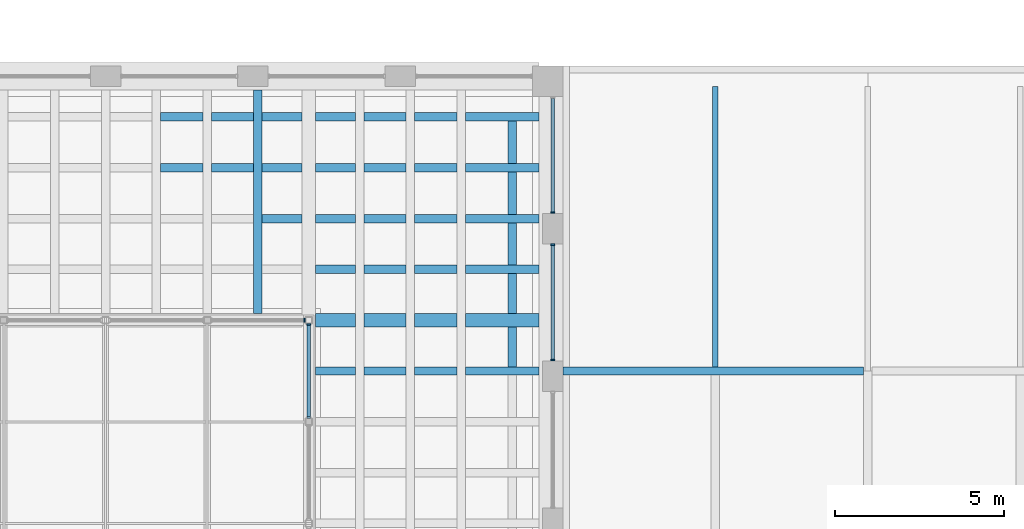
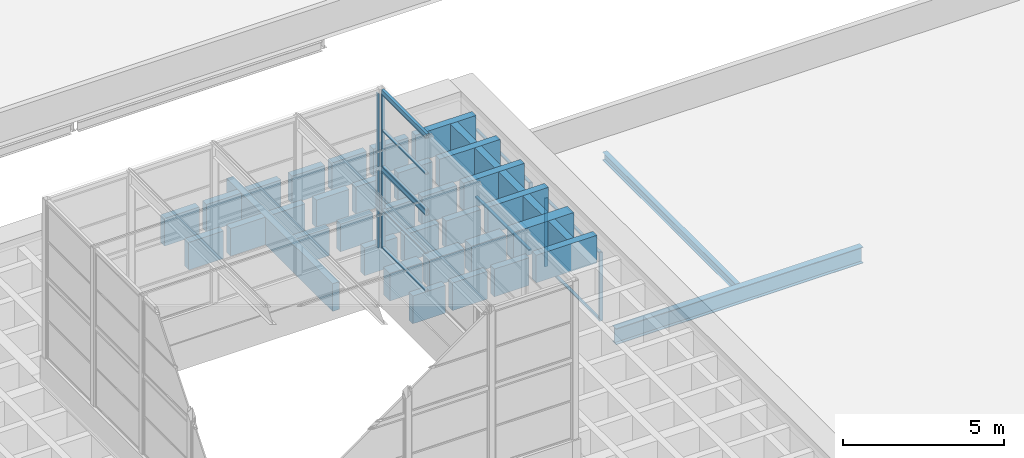
# One storey, part 34 of 50: 41 beams, 17 members, 6 elements without a shape of their own.
"""IFC4 building model written with IfcOpenShell, lengths in metres."""

import ifcopenshell
import ifcopenshell.guid

model = None  # the IFC model being written
_history = None  # IfcOwnerHistory: only IFC2X3 demands one
_inside = {}  # id of a spatial element -> (the spatial element, [elements in it])
_under = {}  # id of a project, library or spatial element -> (it, [spatial elements below it])
_declared = {}  # id of a project -> (the project, [libraries it declares])
_typed = {}  # id of a type object -> (the type object, [elements of that type])
_made_of = {}  # id of a material, layer set ... -> (it, [elements and type objects made of it])


def new_model(schema):
    """Start an empty IFC model of exactly this schema.

    Asked for "IFC4X3", IfcOpenShell would pick the latest addendum, in which some entities
    have other attributes; the version numbers below select the first issue.
    IFC2X3 requires an IfcOwnerHistory on every rooted entity: one is made here for all.
    """
    global model, _history
    if schema == "IFC4X3":
        model = ifcopenshell.file(schema_version=(4, 3, 0, 0))
    else:
        model = ifcopenshell.file(schema=schema)
    _inside.clear()
    _under.clear()
    _declared.clear()
    _typed.clear()
    _made_of.clear()
    _history = None
    if model.schema == "IFC2X3":
        org = make("IfcOrganization", Name="unknown")
        user = make(
            "IfcPersonAndOrganization",
            ThePerson=make("IfcPerson", FamilyName="unknown"),
            TheOrganization=org,
        )
        app = make(
            "IfcApplication",
            ApplicationDeveloper=org,
            Version="unknown",
            ApplicationFullName="unknown",
            ApplicationIdentifier="unknown",
        )
        _history = make(
            "IfcOwnerHistory",
            OwningUser=user,
            OwningApplication=app,
            ChangeAction="ADDED",
            CreationDate=0,
        )
    return model


def make(cls, **values):
    """One entity of the class cls with the attributes given. An attribute that is None is left unset."""
    return model.create_entity(
        cls, **{name: value for name, value in values.items() if value is not None}
    )


def rooted(cls, **values):
    """An entity with a GlobalId (a new one), such as an element, a storey or a relation."""
    return make(cls, GlobalId=ifcopenshell.guid.new(), OwnerHistory=_history, **values)


def si_unit(unit_type, name, prefix=None):
    """IfcSIUnit, for example si_unit("LENGTHUNIT", "METRE", prefix="MILLI")."""
    return make("IfcSIUnit", UnitType=unit_type, Prefix=prefix, Name=name)


def assignment(units):
    """IfcUnitAssignment: the units of a project."""
    return None if units is None else make("IfcUnitAssignment", Units=units)


def point(xyz):
    """IfcCartesianPoint."""
    return None if xyz is None else make("IfcCartesianPoint", Coordinates=xyz)


def direction(xyz):
    """IfcDirection."""
    return None if xyz is None else make("IfcDirection", DirectionRatios=xyz)


def frame(location, z_axis=None, x_axis=None):
    """IfcAxis2Placement3D, a coordinate frame: its origin and axes. An axis left out is left unset."""
    return make(
        "IfcAxis2Placement3D",
        Location=point(location),
        Axis=direction(z_axis),
        RefDirection=direction(x_axis),
    )


def frame_2d(location, x_axis=None):
    """IfcAxis2Placement2D, a coordinate frame in the plane: its origin and x axis."""
    return make(
        "IfcAxis2Placement2D", Location=point(location), RefDirection=direction(x_axis)
    )


def origin():
    """The frame at (0, 0, 0) with its axes left unset."""
    return frame((0.0, 0.0, 0.0))


def origin_2d():
    """The frame at (0, 0) in the plane with its x axis left unset."""
    return frame_2d((0.0, 0.0))


def place(relative_to, where):
    """IfcLocalPlacement: puts the frame where relative to a parent placement (None: the world)."""
    return make(
        "IfcLocalPlacement", PlacementRelTo=relative_to, RelativePlacement=where
    )


def context(
    kind, dimensions, precision=None, world=None, true_north=None, identifier=None
):
    """IfcGeometricRepresentationContext, for example the 3D "Model" context."""
    return make(
        "IfcGeometricRepresentationContext",
        ContextIdentifier=identifier,
        ContextType=kind,
        CoordinateSpaceDimension=dimensions,
        Precision=precision,
        WorldCoordinateSystem=world,
        TrueNorth=true_north,
    )


def subcontext(parent, identifier, kind, view, scale=None):
    """IfcGeometricRepresentationSubContext, for example "Body" below "Model"."""
    return make(
        "IfcGeometricRepresentationSubContext",
        ContextIdentifier=identifier,
        ContextType=kind,
        ParentContext=parent,
        TargetScale=scale,
        TargetView=view,
    )


def project(units=None, contexts=None):
    """IfcProject with its units and contexts."""
    return rooted(
        "IfcProject",
        Name="project",
        RepresentationContexts=contexts,
        UnitsInContext=assignment(units),
    )


def spatial(cls, under=None, at=None, **own):
    """A site, building, storey or space (cls), placed at a placement, below another one or the project."""
    s = rooted(cls, ObjectPlacement=at, **own)
    if under is not None:
        _under.setdefault(under.id(), (under, []))[1].append(s)
    return s


def profile(cls, at=None, kind="AREA", **sizes):
    """A parametric profile (cls). Its sizes go by their IFC names, for example OverallWidth=200.0."""
    return make(cls, ProfileType=kind, Position=at, **sizes)


def rectangle(**sizes):
    """IfcRectangleProfileDef."""
    return profile("IfcRectangleProfileDef", **sizes)


def hollow_rectangle(**sizes):
    """IfcRectangleHollowProfileDef."""
    return profile("IfcRectangleHollowProfileDef", **sizes)


def i_section(**sizes):
    """IfcIShapeProfileDef."""
    return profile("IfcIShapeProfileDef", **sizes)


def extrude(swept, where, along, depth):
    """IfcExtrudedAreaSolid: the profile swept, set in the frame where, extruded along a direction by depth."""
    return make(
        "IfcExtrudedAreaSolid",
        SweptArea=swept,
        Position=where,
        ExtrudedDirection=direction(along),
        Depth=depth,
    )


def shape(context_of_items, identifier, shape_type, items):
    """IfcShapeRepresentation: the items that make up one representation, for example the "Body"."""
    return make(
        "IfcShapeRepresentation",
        ContextOfItems=context_of_items,
        RepresentationIdentifier=identifier,
        RepresentationType=shape_type,
        Items=items,
    )


def material(Name=None, Category=None):
    """IfcMaterial."""
    return make("IfcMaterial", Name=Name, Category=Category)


def layer(
    of_material, thickness, ventilated=None, Name=None, Category=None, Priority=None
):
    """IfcMaterialLayer: one layer of a wall or slab, of a material (None: an air gap)."""
    return make(
        "IfcMaterialLayer",
        Material=of_material,
        LayerThickness=thickness,
        IsVentilated=ventilated,
        Name=Name,
        Category=Category,
        Priority=Priority,
    )


def layer_set(layers, Name=None):
    """IfcMaterialLayerSet."""
    return make("IfcMaterialLayerSet", MaterialLayers=layers, LayerSetName=Name)


def material_profile(
    of_material, cross_section, Name=None, Category=None, Priority=None
):
    """IfcMaterialProfile: a cross section and its material."""
    return make(
        "IfcMaterialProfile",
        Name=Name,
        Material=of_material,
        Profile=cross_section,
        Priority=Priority,
        Category=Category,
    )


def profile_set(profiles, Name=None, composite=None):
    """IfcMaterialProfileSet."""
    return make(
        "IfcMaterialProfileSet",
        Name=Name,
        MaterialProfiles=profiles,
        CompositeProfile=composite,
    )


def made_of(thing, what):
    """Note that an element or type object is made of a material, layer set ...; save() writes the relation."""
    if what is not None:
        _made_of.setdefault(what.id(), (what, []))[1].append(thing)
    return thing


def type_object(cls, material=None, **own):
    """A type object (cls), such as IfcWallType, which elements share."""
    return made_of(rooted(cls, **own), material)


def element(
    cls,
    number,
    at=None,
    inside=None,
    cuts=None,
    type_object=None,
    material=None,
    context=None,
    identifier="Body",
    shape_type=None,
    held_by="IfcProductDefinitionShape",
    body=None,
    shapes=None,
    **own,
):
    """One element of the class cls, such as IfcWall. Its Tag is "e" and its number.

    at: its placement. inside: the storey or other place that contains it. cuts: it is an
    opening in that element (IfcRelVoidsElement). A single representation is given by context,
    identifier, shape_type and body (its items); several are given by shapes. held_by: the class
    of the entity that holds the representations. save() writes the other relations.
    """
    e = rooted(cls, Tag="e%d" % number, ObjectPlacement=at, **own)
    if body is not None:
        shapes = [shape(context, identifier, shape_type, body)]
    if shapes is not None:
        e.Representation = make(held_by, Representations=shapes)
    if inside is not None:
        _inside.setdefault(inside.id(), (inside, []))[1].append(e)
    if cuts is not None:
        rooted(
            "IfcRelVoidsElement", RelatingBuildingElement=cuts, RelatedOpeningElement=e
        )
    if type_object is not None:
        _typed.setdefault(type_object.id(), (type_object, []))[1].append(e)
    return made_of(e, material)


def aggregate(whole, parts):
    """IfcRelAggregates: a whole, such as a stair, and the parts it consists of."""
    return rooted("IfcRelAggregates", RelatingObject=whole, RelatedObjects=parts)


def save(model, path):
    """Write the relations noted so far, then the file.

    IfcRelAggregates (storeys below a building ...), IfcRelContainedInSpatialStructure (elements
    in a storey), IfcRelDefinesByType, IfcRelAssociatesMaterial and IfcRelDeclares: one each for
    every whole, place, type object, material and project.
    """
    for whole, parts in _under.values():
        aggregate(whole, parts)
    for where, things in _inside.values():
        rooted(
            "IfcRelContainedInSpatialStructure",
            RelatedElements=things,
            RelatingStructure=where,
        )
    for kind, things in _typed.values():
        rooted("IfcRelDefinesByType", RelatedObjects=things, RelatingType=kind)
    for what, things in _made_of.values():
        rooted("IfcRelAssociatesMaterial", RelatedObjects=things, RelatingMaterial=what)
    for by, libraries in _declared.values():
        rooted("IfcRelDeclares", RelatingContext=by, RelatedDefinitions=libraries)
    model.write(path)


model = new_model("IFC4")

# Units and contexts
model_context = context("Model", 3, precision=1e-05, world=origin(), true_north=direction((0.0, 1.0)))
body_context = subcontext(model_context, "Body", "Model", "MODEL_VIEW")
ifc_project = project(units=[si_unit("LENGTHUNIT", "METRE"), si_unit("AREAUNIT", "SQUARE_METRE"), si_unit("VOLUMEUNIT", "CUBIC_METRE"), si_unit("PLANEANGLEUNIT", "RADIAN"), si_unit("MASSUNIT", "GRAM", prefix="KILO")], contexts=[model_context])

# Site, building, storey
site_placement = place(None, origin())
site = spatial("IfcSite", under=ifc_project, at=site_placement, CompositionType="ELEMENT")
building_placement = place(site_placement, origin())
building = spatial("IfcBuilding", under=site, at=building_placement, Name="Corbel Yard City Hall", CompositionType="ELEMENT")
storey_placement = place(building_placement, frame((0.0, 0.0, 15.0)))
storey = spatial("IfcBuildingStorey", under=building, at=storey_placement, Name="L03", CompositionType="ELEMENT", Elevation=15.0)

# Beams
ifc_material_1 = material(Name="Concrete N50 (50 MPa)", Category="concrete")
ifc_material_profile_1 = material_profile(ifc_material_1, rectangle(XDim=0.25, YDim=1.050048828125, at=origin_2d()), Name="250x1050")
ifc_profile_set_1 = profile_set([ifc_material_profile_1], Name="Concrete N50 (50 MPa)")
beam_type_1 = type_object("IfcBeamType", Name="Coffer bay rib RC 250X1050", PredefinedType="T_BEAM", material=ifc_profile_set_1)
beam_1_placement = place(storey_placement, frame((135.0, 73.699951171875, 3.125), z_axis=(0.0, 1.0, 0.0), x_axis=(-1.0, 0.0, 0.0)))
element("IfcBeam", 1, at=beam_1_placement, inside=storey, type_object=beam_type_1, Name="Coffer bay rib RB5", PredefinedType="T_BEAM", context=body_context, shape_type="SweptSolid", body=[
    extrude(rectangle(XDim=0.25, YDim=1.050048828125, at=origin_2d()), origin(), (0.0, 0.0, 1.0), 6.60009765625),
])
ifc_material_profile_2 = material_profile(ifc_material_1, rectangle(XDim=0.25, YDim=1.050048828125, at=origin_2d()), Name="250x1050")
ifc_profile_set_2 = profile_set([ifc_material_profile_2], Name="Concrete N50 (50 MPa)")
beam_type_2 = type_object("IfcBeamType", Name="Coffer cross rib RC 250X1050", PredefinedType="T_BEAM", material=ifc_profile_set_2)
for number, where, z_axis, x_axis, name in (
    (2, (142.5, 72.125, 3.125), (0.0, 1.0, 0.0), (-1.0, 0.0, 0.0), "Coffer cross rib RB3"),
    (3, (142.5, 73.699951171875, 3.125), (0.0, 1.0, 0.0), (-1.0, 0.0, 0.0), "Coffer cross rib RB3"),
):
    element("IfcBeam", number, at=place(storey_placement, frame(where, z_axis=z_axis, x_axis=x_axis)), inside=storey, type_object=beam_type_2, Name=name, PredefinedType="T_BEAM", context=body_context, shape_type="SweptSolid", body=[
        extrude(rectangle(XDim=0.25, YDim=1.050048828125, at=origin_2d()), origin(), (0.0, 0.0, 1.0), 1.175048828125),
    ])
for number, where, z_axis, x_axis, name in (
    (4, (142.5, 75.125, 3.125), (0.0, 1.0, 0.0), (-1.0, 0.0, 0.0), "Coffer cross rib RB3"),
    (5, (142.5, 76.625, 3.125), (0.0, 1.0, 0.0), (-1.0, 0.0, 0.0), "Coffer cross rib RB3"),
    (6, (142.5, 78.125, 3.125), (0.0, 1.0, 0.0), (-1.0, 0.0, 0.0), "Coffer cross rib RB3"),
):
    element("IfcBeam", number, at=place(storey_placement, frame(where, z_axis=z_axis, x_axis=x_axis)), inside=storey, type_object=beam_type_2, Name=name, PredefinedType="T_BEAM", context=body_context, shape_type="SweptSolid", body=[
        extrude(rectangle(XDim=0.25, YDim=1.050048828125, at=origin_2d()), origin(), (0.0, 0.0, 1.0), 1.25),
    ])
beam_2_placement = place(storey_placement, frame((136.699951171875, 72.0, 3.125), z_axis=(1.0, 0.0, 0.0), x_axis=(0.0, 1.0, 0.0)))
element("IfcBeam", 7, at=beam_2_placement, inside=storey, type_object=beam_type_2, Name="Coffer cross rib RB3", PredefinedType="T_BEAM", context=body_context, shape_type="SweptSolid", body=[
    extrude(rectangle(XDim=0.25, YDim=1.050048828125, at=origin_2d()), origin(), (0.0, 0.0, 1.0), 1.175048828125),
])
for number, where, z_axis, x_axis, name in (
    (8, (138.125, 72.0, 3.125), (1.0, 0.0, 0.0), (0.0, 1.0, 0.0), "Coffer cross rib RB3"),
    (9, (139.625, 72.0, 3.125), (1.0, 0.0, 0.0), (0.0, 1.0, 0.0), "Coffer cross rib RB3"),
):
    element("IfcBeam", number, at=place(storey_placement, frame(where, z_axis=z_axis, x_axis=x_axis)), inside=storey, type_object=beam_type_2, Name=name, PredefinedType="T_BEAM", context=body_context, shape_type="SweptSolid", body=[
        extrude(rectangle(XDim=0.25, YDim=1.050048828125, at=origin_2d()), origin(), (0.0, 0.0, 1.0), 1.25),
    ])
beam_3_placement = place(storey_placement, frame((141.125, 72.0, 3.125), z_axis=(1.0, 0.0, 0.0), x_axis=(0.0, 1.0, 0.0)))
element("IfcBeam", 10, at=beam_3_placement, inside=storey, type_object=beam_type_2, Name="Coffer cross rib RB3", PredefinedType="T_BEAM", context=body_context, shape_type="SweptSolid", body=[
    extrude(rectangle(XDim=0.25, YDim=1.050048828125, at=origin_2d()), origin(), (0.0, 0.0, 1.0), 2.175048828125),
])
beam_4_placement = place(storey_placement, frame((136.699951171875, 75.0, 3.125), z_axis=(1.0, 0.0, 0.0), x_axis=(0.0, 1.0, 0.0)))
element("IfcBeam", 11, at=beam_4_placement, inside=storey, type_object=beam_type_2, Name="Coffer cross rib RB3", PredefinedType="T_BEAM", context=body_context, shape_type="SweptSolid", body=[
    extrude(rectangle(XDim=0.25, YDim=1.050048828125, at=origin_2d()), origin(), (0.0, 0.0, 1.0), 1.175048828125),
])
for number, where, z_axis, x_axis, name in (
    (12, (138.125, 75.0, 3.125), (1.0, 0.0, 0.0), (0.0, 1.0, 0.0), "Coffer cross rib RB3"),
    (13, (139.625, 75.0, 3.125), (1.0, 0.0, 0.0), (0.0, 1.0, 0.0), "Coffer cross rib RB3"),
):
    element("IfcBeam", number, at=place(storey_placement, frame(where, z_axis=z_axis, x_axis=x_axis)), inside=storey, type_object=beam_type_2, Name=name, PredefinedType="T_BEAM", context=body_context, shape_type="SweptSolid", body=[
        extrude(rectangle(XDim=0.25, YDim=1.050048828125, at=origin_2d()), origin(), (0.0, 0.0, 1.0), 1.25),
    ])
beam_5_placement = place(storey_placement, frame((141.125, 75.0, 3.125), z_axis=(1.0, 0.0, 0.0), x_axis=(0.0, 1.0, 0.0)))
element("IfcBeam", 14, at=beam_5_placement, inside=storey, type_object=beam_type_2, Name="Coffer cross rib RB3", PredefinedType="T_BEAM", context=body_context, shape_type="SweptSolid", body=[
    extrude(rectangle(XDim=0.25, YDim=1.050048828125, at=origin_2d()), origin(), (0.0, 0.0, 1.0), 2.175048828125),
])
for number, where, z_axis, x_axis, name in (
    (15, (135.125, 76.5, 3.125), (1.0, 0.0, 0.0), (0.0, 1.0, 0.0), "Coffer cross rib RB3"),
    (16, (136.699951171875, 76.5, 3.125), (1.0, 0.0, 0.0), (0.0, 1.0, 0.0), "Coffer cross rib RB3"),
):
    element("IfcBeam", number, at=place(storey_placement, frame(where, z_axis=z_axis, x_axis=x_axis)), inside=storey, type_object=beam_type_2, Name=name, PredefinedType="T_BEAM", context=body_context, shape_type="SweptSolid", body=[
        extrude(rectangle(XDim=0.25, YDim=1.050048828125, at=origin_2d()), origin(), (0.0, 0.0, 1.0), 1.175048828125),
    ])
for number, where, z_axis, x_axis, name in (
    (17, (138.125, 76.5, 3.125), (1.0, 0.0, 0.0), (0.0, 1.0, 0.0), "Coffer cross rib RB3"),
    (18, (139.625, 76.5, 3.125), (1.0, 0.0, 0.0), (0.0, 1.0, 0.0), "Coffer cross rib RB3"),
):
    element("IfcBeam", number, at=place(storey_placement, frame(where, z_axis=z_axis, x_axis=x_axis)), inside=storey, type_object=beam_type_2, Name=name, PredefinedType="T_BEAM", context=body_context, shape_type="SweptSolid", body=[
        extrude(rectangle(XDim=0.25, YDim=1.050048828125, at=origin_2d()), origin(), (0.0, 0.0, 1.0), 1.25),
    ])
beam_6_placement = place(storey_placement, frame((141.125, 76.5, 3.125), z_axis=(1.0, 0.0, 0.0), x_axis=(0.0, 1.0, 0.0)))
element("IfcBeam", 19, at=beam_6_placement, inside=storey, type_object=beam_type_2, Name="Coffer cross rib RB3", PredefinedType="T_BEAM", context=body_context, shape_type="SweptSolid", body=[
    extrude(rectangle(XDim=0.25, YDim=1.050048828125, at=origin_2d()), origin(), (0.0, 0.0, 1.0), 2.175048828125),
])
for number, where, z_axis, x_axis, name in (
    (20, (132.125, 78.0, 3.125), (1.0, 0.0, 0.0), (0.0, 1.0, 0.0), "Coffer cross rib RB3"),
    (21, (133.625, 78.0, 3.125), (1.0, 0.0, 0.0), (0.0, 1.0, 0.0), "Coffer cross rib RB3"),
):
    element("IfcBeam", number, at=place(storey_placement, frame(where, z_axis=z_axis, x_axis=x_axis)), inside=storey, type_object=beam_type_2, Name=name, PredefinedType="T_BEAM", context=body_context, shape_type="SweptSolid", body=[
        extrude(rectangle(XDim=0.25, YDim=1.050048828125, at=origin_2d()), origin(), (0.0, 0.0, 1.0), 1.25),
    ])
for number, where, z_axis, x_axis, name in (
    (22, (135.125, 78.0, 3.125), (1.0, 0.0, 0.0), (0.0, 1.0, 0.0), "Coffer cross rib RB3"),
    (23, (136.699951171875, 78.0, 3.125), (1.0, 0.0, 0.0), (0.0, 1.0, 0.0), "Coffer cross rib RB3"),
):
    element("IfcBeam", number, at=place(storey_placement, frame(where, z_axis=z_axis, x_axis=x_axis)), inside=storey, type_object=beam_type_2, Name=name, PredefinedType="T_BEAM", context=body_context, shape_type="SweptSolid", body=[
        extrude(rectangle(XDim=0.25, YDim=1.050048828125, at=origin_2d()), origin(), (0.0, 0.0, 1.0), 1.175048828125),
    ])
for number, where, z_axis, x_axis, name in (
    (24, (138.125, 78.0, 3.125), (1.0, 0.0, 0.0), (0.0, 1.0, 0.0), "Coffer cross rib RB3"),
    (25, (139.625, 78.0, 3.125), (1.0, 0.0, 0.0), (0.0, 1.0, 0.0), "Coffer cross rib RB3"),
):
    element("IfcBeam", number, at=place(storey_placement, frame(where, z_axis=z_axis, x_axis=x_axis)), inside=storey, type_object=beam_type_2, Name=name, PredefinedType="T_BEAM", context=body_context, shape_type="SweptSolid", body=[
        extrude(rectangle(XDim=0.25, YDim=1.050048828125, at=origin_2d()), origin(), (0.0, 0.0, 1.0), 1.25),
    ])
beam_7_placement = place(storey_placement, frame((141.125, 78.0, 3.125), z_axis=(1.0, 0.0, 0.0), x_axis=(0.0, 1.0, 0.0)))
element("IfcBeam", 26, at=beam_7_placement, inside=storey, type_object=beam_type_2, Name="Coffer cross rib RB3", PredefinedType="T_BEAM", context=body_context, shape_type="SweptSolid", body=[
    extrude(rectangle(XDim=0.25, YDim=1.050048828125, at=origin_2d()), origin(), (0.0, 0.0, 1.0), 2.175048828125),
])
for number, where, z_axis, x_axis, name in (
    (27, (132.125, 79.5, 3.125), (1.0, 0.0, 0.0), (0.0, 1.0, 0.0), "Coffer cross rib RB3"),
    (28, (133.625, 79.5, 3.125), (1.0, 0.0, 0.0), (0.0, 1.0, 0.0), "Coffer cross rib RB3"),
):
    element("IfcBeam", number, at=place(storey_placement, frame(where, z_axis=z_axis, x_axis=x_axis)), inside=storey, type_object=beam_type_2, Name=name, PredefinedType="T_BEAM", context=body_context, shape_type="SweptSolid", body=[
        extrude(rectangle(XDim=0.25, YDim=1.050048828125, at=origin_2d()), origin(), (0.0, 0.0, 1.0), 1.25),
    ])
for number, where, z_axis, x_axis, name in (
    (29, (135.125, 79.5, 3.125), (1.0, 0.0, 0.0), (0.0, 1.0, 0.0), "Coffer cross rib RB3"),
    (30, (136.699951171875, 79.5, 3.125), (1.0, 0.0, 0.0), (0.0, 1.0, 0.0), "Coffer cross rib RB3"),
):
    element("IfcBeam", number, at=place(storey_placement, frame(where, z_axis=z_axis, x_axis=x_axis)), inside=storey, type_object=beam_type_2, Name=name, PredefinedType="T_BEAM", context=body_context, shape_type="SweptSolid", body=[
        extrude(rectangle(XDim=0.25, YDim=1.050048828125, at=origin_2d()), origin(), (0.0, 0.0, 1.0), 1.175048828125),
    ])
for number, where, z_axis, x_axis, name in (
    (31, (138.125, 79.5, 3.125), (1.0, 0.0, 0.0), (0.0, 1.0, 0.0), "Coffer cross rib RB3"),
    (32, (139.625, 79.5, 3.125), (1.0, 0.0, 0.0), (0.0, 1.0, 0.0), "Coffer cross rib RB3"),
):
    element("IfcBeam", number, at=place(storey_placement, frame(where, z_axis=z_axis, x_axis=x_axis)), inside=storey, type_object=beam_type_2, Name=name, PredefinedType="T_BEAM", context=body_context, shape_type="SweptSolid", body=[
        extrude(rectangle(XDim=0.25, YDim=1.050048828125, at=origin_2d()), origin(), (0.0, 0.0, 1.0), 1.25),
    ])
beam_8_placement = place(storey_placement, frame((141.125, 79.5, 3.125), z_axis=(1.0, 0.0, 0.0), x_axis=(0.0, 1.0, 0.0)))
element("IfcBeam", 33, at=beam_8_placement, inside=storey, type_object=beam_type_2, Name="Coffer cross rib RB3", PredefinedType="T_BEAM", context=body_context, shape_type="SweptSolid", body=[
    extrude(rectangle(XDim=0.25, YDim=1.050048828125, at=origin_2d()), origin(), (0.0, 0.0, 1.0), 2.175048828125),
])
ifc_material_2 = material(Name="Steel Grade 300 (300 MPa yield)", Category="steel")
ifc_material_profile_3 = material_profile(ifc_material_2, i_section(OverallWidth=0.22900390625, OverallDepth=0.612060546875, WebThickness=0.011962890625, FlangeThickness=0.01953125, at=origin_2d()), Name="610UB125")
ifc_profile_set_3 = profile_set([ifc_material_profile_3], Name="Steel Grade 300 (300 MPa yield)")
beam_type_3 = type_object("IfcBeamType", Name="Girder 610UB125", PredefinedType="BEAM", material=ifc_profile_set_3)
beam_9_placement = place(storey_placement, frame((144.0, 72.0, -0.4560546875), z_axis=(1.0, 0.0, 0.0), x_axis=(0.0, 1.0, 0.0)))
element("IfcBeam", 34, at=beam_9_placement, inside=storey, type_object=beam_type_3, Name="Girder 610UB125 GB1 L03roof", PredefinedType="BEAM", context=body_context, shape_type="SweptSolid", body=[
    extrude(i_section(OverallWidth=0.22900390625, OverallDepth=0.612060546875, WebThickness=0.011962890625, FlangeThickness=0.01953125, at=origin_2d()), origin(), (0.0, 0.0, 1.0), 8.8701171875),
])
ifc_material_3 = material(Name="Steel Grade C450L0", Category="steel")
ifc_material_profile_4 = material_profile(ifc_material_3, hollow_rectangle(XDim=0.10009765625, YDim=0.14990234375, WallThickness=0.006103515625, at=origin_2d()), Name="150x100x6.0RHS")
ifc_profile_set_4 = profile_set([ifc_material_profile_4], Name="Steel Grade C450L0")
beam_type_4 = type_object("IfcBeamType", Name="Lantern frame beam 150x100x6.0RHS", PredefinedType="BEAM", material=ifc_profile_set_4)
for number, where, z_axis, x_axis, name in (
    (35, (136.5, 70.60009765625, 10.574951171875), (0.0, 1.0, 0.0), (-1.0, 0.0, 0.0), "Lantern frame beam 150x100x6.0RHS SB22"),
    (36, (136.5, 70.60009765625, 7.64990234375), (0.0, 1.0, 0.0), (-1.0, 0.0, 0.0), "Lantern frame beam 150x100x6.0RHS SB22"),
):
    element("IfcBeam", number, at=place(storey_placement, frame(where, z_axis=z_axis, x_axis=x_axis)), inside=storey, type_object=beam_type_4, Name=name, PredefinedType="BEAM", context=body_context, shape_type="SweptSolid", body=[
        extrude(hollow_rectangle(XDim=0.10009765625, YDim=0.14990234375, WallThickness=0.006103515625, at=origin_2d()), origin(), (0.0, 0.0, 1.0), 2.7998046875),
    ])
ifc_material_profile_5 = material_profile(ifc_material_1, rectangle(XDim=0.39990234375, YDim=1.050048828125, at=origin_2d()), Name="400x1050")
ifc_profile_set_5 = profile_set([ifc_material_profile_5], Name="Concrete N50 (50 MPa)")
beam_type_5 = type_object("IfcBeamType", Name="Lantern trimmer cross rib RC 400X1050", PredefinedType="BEAM", material=ifc_profile_set_5)
beam_10_placement = place(storey_placement, frame((136.699951171875, 73.5, 3.125), z_axis=(1.0, 0.0, 0.0), x_axis=(0.0, 1.0, 0.0)))
element("IfcBeam", 37, at=beam_10_placement, inside=storey, type_object=beam_type_5, Name="Lantern trimmer cross rib RB4", PredefinedType="BEAM", context=body_context, shape_type="SweptSolid", body=[
    extrude(rectangle(XDim=0.39990234375, YDim=1.050048828125, at=origin_2d()), origin(), (0.0, 0.0, 1.0), 1.175048828125),
])
for number, where, z_axis, x_axis, name in (
    (38, (138.125, 73.5, 3.125), (1.0, 0.0, 0.0), (0.0, 1.0, 0.0), "Lantern trimmer cross rib RB4"),
    (39, (139.625, 73.5, 3.125), (1.0, 0.0, 0.0), (0.0, 1.0, 0.0), "Lantern trimmer cross rib RB4"),
):
    element("IfcBeam", number, at=place(storey_placement, frame(where, z_axis=z_axis, x_axis=x_axis)), inside=storey, type_object=beam_type_5, Name=name, PredefinedType="BEAM", context=body_context, shape_type="SweptSolid", body=[
        extrude(rectangle(XDim=0.39990234375, YDim=1.050048828125, at=origin_2d()), origin(), (0.0, 0.0, 1.0), 1.25),
    ])
beam_11_placement = place(storey_placement, frame((141.125, 73.5, 3.125), z_axis=(1.0, 0.0, 0.0), x_axis=(0.0, 1.0, 0.0)))
element("IfcBeam", 40, at=beam_11_placement, inside=storey, type_object=beam_type_5, Name="Lantern trimmer cross rib RB4", PredefinedType="BEAM", context=body_context, shape_type="SweptSolid", body=[
    extrude(rectangle(XDim=0.39990234375, YDim=1.050048828125, at=origin_2d()), origin(), (0.0, 0.0, 1.0), 2.175048828125),
])

# Curtain wall, member
ifc_material_4 = material(Name="Aluminium extrusion", Category="aluminium")
ifc_layer = layer(ifc_material_4, 0.1201171875)
ifc_layer_set = layer_set([ifc_layer], Name="Aluminium extrusion")
curtain_wall_type = type_object("IfcCurtainWallType", Name="CW3", PredefinedType="USERDEFINED", material=ifc_layer_set)
curtain_wall_1_placement = place(storey_placement, origin())
curtain_wall_1 = element("IfcCurtainWall", 41, at=curtain_wall_1_placement, inside=storey, type_object=curtain_wall_type, Name="Lantern glazing", ObjectType="CURTAIN WALL", PredefinedType="USERDEFINED")
ifc_material_profile_6 = material_profile(ifc_material_4, rectangle(XDim=0.1201171875, YDim=0.050048828125, at=origin_2d()), Name="120x50")
ifc_profile_set_6 = profile_set([ifc_material_profile_6], Name="Aluminium extrusion")
member_type_1 = type_object("IfcMemberType", Name="ML3", PredefinedType="MULLION", material=ifc_profile_set_6)
member_1_placement = place(storey_placement, frame((136.375, 73.5, 4.64990234375), z_axis=(0.0, 0.0, 1.0), x_axis=(0.0, 1.0, 0.0)))
member_1 = element("IfcMember", 42, at=member_1_placement, type_object=member_type_1, Name="CW3 mullion 2", PredefinedType="MULLION", context=body_context, shape_type="SweptSolid", body=[
    extrude(rectangle(XDim=0.1201171875, YDim=0.050048828125, at=origin_2d()), origin(), (0.0, 0.0, 1.0), 2.925048828125),
])
aggregate(curtain_wall_1, [member_1])

curtain_wall_2_placement = place(storey_placement, origin())
curtain_wall_2 = element("IfcCurtainWall", 43, at=curtain_wall_2_placement, inside=storey, type_object=curtain_wall_type, Name="Lantern glazing", ObjectType="CURTAIN WALL", PredefinedType="USERDEFINED")
member_2_placement = place(storey_placement, frame((136.5, 73.375, 4.64990234375), z_axis=(0.0, 0.0, 1.0), x_axis=(-1.0, 0.0, 0.0)))
member_2 = element("IfcMember", 44, at=member_2_placement, type_object=member_type_1, Name="CW3 mullion 2", PredefinedType="MULLION", context=body_context, shape_type="SweptSolid", body=[
    extrude(rectangle(XDim=0.1201171875, YDim=0.050048828125, at=origin_2d()), origin(), (0.0, 0.0, 1.0), 2.925048828125),
])

curtain_wall_3_placement = place(storey_placement, origin())
curtain_wall_3 = element("IfcCurtainWall", 45, at=curtain_wall_3_placement, inside=storey, type_object=curtain_wall_type, Name="Lantern glazing", ObjectType="CURTAIN WALL", PredefinedType="USERDEFINED")
member_3_placement = place(storey_placement, frame((136.375, 73.5, 7.72509765625), z_axis=(0.0, 0.0, 1.0), x_axis=(0.0, 1.0, 0.0)))
member_3 = element("IfcMember", 46, at=member_3_placement, type_object=member_type_1, Name="CW3 mullion 2", PredefinedType="MULLION", context=body_context, shape_type="SweptSolid", body=[
    extrude(rectangle(XDim=0.1201171875, YDim=0.050048828125, at=origin_2d()), origin(), (0.0, 0.0, 1.0), 2.77490234375),
])
aggregate(curtain_wall_3, [member_3])

curtain_wall_4_placement = place(storey_placement, origin())
curtain_wall_4 = element("IfcCurtainWall", 47, at=curtain_wall_4_placement, inside=storey, type_object=curtain_wall_type, Name="Lantern glazing", ObjectType="CURTAIN WALL", PredefinedType="USERDEFINED")
member_4_placement = place(storey_placement, frame((136.5, 73.375, 7.72509765625), z_axis=(0.0, 0.0, 1.0), x_axis=(-1.0, 0.0, 0.0)))
member_4 = element("IfcMember", 48, at=member_4_placement, type_object=member_type_1, Name="CW3 mullion 2", PredefinedType="MULLION", context=body_context, shape_type="SweptSolid", body=[
    extrude(rectangle(XDim=0.1201171875, YDim=0.050048828125, at=origin_2d()), origin(), (0.0, 0.0, 1.0), 2.77490234375),
])

# Curtain wall, members
curtain_wall_5_placement = place(storey_placement, origin())
curtain_wall_5 = element("IfcCurtainWall", 49, at=curtain_wall_5_placement, inside=storey, type_object=curtain_wall_type, Name="Chamber clerestory glazing", ObjectType="CURTAIN WALL", PredefinedType="USERDEFINED")
member_5_placement = place(storey_placement, frame((143.699951171875, 72.324951171875, 0.0), z_axis=(0.0, 0.0, 1.0), x_axis=(-1.0, 0.0, 0.0)))
member_5 = element("IfcMember", 50, at=member_5_placement, type_object=member_type_1, Name="CW3 mullion 1", PredefinedType="MULLION", context=body_context, shape_type="SweptSolid", body=[
    extrude(rectangle(XDim=0.1201171875, YDim=0.050048828125, at=origin_2d()), origin(), (0.0, 0.0, 1.0), 2.60009765625),
])
member_6_placement = place(storey_placement, frame((143.699951171875, 75.72509765625, 0.0), z_axis=(0.0, 0.0, 1.0), x_axis=(-1.0, 0.0, 0.0)))
member_6 = element("IfcMember", 51, at=member_6_placement, type_object=member_type_1, Name="CW3 mullion 2", PredefinedType="MULLION", context=body_context, shape_type="SweptSolid", body=[
    extrude(rectangle(XDim=0.1201171875, YDim=0.050048828125, at=origin_2d()), origin(), (0.0, 0.0, 1.0), 2.60009765625),
])

# Curtain wall, member
curtain_wall_6_placement = place(storey_placement, origin())
curtain_wall_6 = element("IfcCurtainWall", 52, at=curtain_wall_6_placement, inside=storey, type_object=curtain_wall_type, Name="Chamber clerestory glazing", ObjectType="CURTAIN WALL", PredefinedType="USERDEFINED")
member_7_placement = place(storey_placement, frame((143.699951171875, 76.675048828125, 0.0), z_axis=(0.0, 0.0, 1.0), x_axis=(-1.0, 0.0, 0.0)))
member_7 = element("IfcMember", 53, at=member_7_placement, type_object=member_type_1, Name="CW3 mullion 1", PredefinedType="MULLION", context=body_context, shape_type="SweptSolid", body=[
    extrude(rectangle(XDim=0.1201171875, YDim=0.050048828125, at=origin_2d()), origin(), (0.0, 0.0, 1.0), 2.60009765625),
])

# Beam
ifc_material_profile_7 = material_profile(ifc_material_2, i_section(OverallWidth=0.166015625, OverallDepth=0.306884765625, WebThickness=0.006591796875, FlangeThickness=0.01171875, at=origin_2d()), Name="310UB46.2")
ifc_profile_set_7 = profile_set([ifc_material_profile_7], Name="Steel Grade 300 (300 MPa yield)")
beam_type_6 = type_object("IfcBeamType", Name="Secondary beam 310UB46.2", PredefinedType="JOIST", material=ifc_profile_set_7)
beam_12_placement = place(storey_placement, frame((148.5, 72.114501953125, -0.303466796875), z_axis=(0.0, 1.0, 0.0), x_axis=(-1.0, 0.0, 0.0)))
element("IfcBeam", 54, at=beam_12_placement, inside=storey, type_object=beam_type_6, Name="Secondary beam 310UB46.2 SB17 L03roof", PredefinedType="JOIST", context=body_context, shape_type="SweptSolid", body=[
    extrude(i_section(OverallWidth=0.166015625, OverallDepth=0.306884765625, WebThickness=0.006591796875, FlangeThickness=0.01171875, at=origin_2d()), origin(), (0.0, 0.0, 1.0), 8.285400390625),
])

# Member
ifc_material_profile_8 = material_profile(ifc_material_4, rectangle(XDim=0.10009765625, YDim=0.050048828125, at=origin_2d()), Name="100x50")
ifc_profile_set_8 = profile_set([ifc_material_profile_8], Name="Aluminium extrusion")
member_type_2 = type_object("IfcMemberType", Name="TR3", PredefinedType="USERDEFINED", material=ifc_profile_set_8)
member_8_placement = place(storey_placement, frame((136.5, 70.64990234375, 4.675048828125), z_axis=(0.0, 1.0, 0.0), x_axis=(-1.0, 0.0, 0.0)))
member_8 = element("IfcMember", 55, at=member_8_placement, type_object=member_type_2, Name="CW3 transom 1.1", ObjectType="TRANSOM", PredefinedType="USERDEFINED", context=body_context, shape_type="SweptSolid", body=[
    extrude(rectangle(XDim=0.10009765625, YDim=0.050048828125, at=origin_2d()), origin(), (0.0, 0.0, 1.0), 2.7001953125),
])

member_9_placement = place(storey_placement, frame((136.5, 70.64990234375, 6.112548828125), z_axis=(0.0, 1.0, 0.0), x_axis=(-1.0, 0.0, 0.0)))
member_9 = element("IfcMember", 56, at=member_9_placement, type_object=member_type_2, Name="CW3 transom 1.2", ObjectType="TRANSOM", PredefinedType="USERDEFINED", context=body_context, shape_type="SweptSolid", body=[
    extrude(rectangle(XDim=0.10009765625, YDim=0.050048828125, at=origin_2d()), origin(), (0.0, 0.0, 1.0), 2.7001953125),
])

member_10_placement = place(storey_placement, frame((136.5, 70.64990234375, 7.550048828125), z_axis=(0.0, 1.0, 0.0), x_axis=(-1.0, 0.0, 0.0)))
member_10 = element("IfcMember", 57, at=member_10_placement, type_object=member_type_2, Name="CW3 transom 1.3", ObjectType="TRANSOM", PredefinedType="USERDEFINED", context=body_context, shape_type="SweptSolid", body=[
    extrude(rectangle(XDim=0.10009765625, YDim=0.050048828125, at=origin_2d()), origin(), (0.0, 0.0, 1.0), 2.7001953125),
])

aggregate(curtain_wall_2, [member_2, member_8, member_9, member_10])

member_11_placement = place(storey_placement, frame((136.5, 70.64990234375, 7.75), z_axis=(0.0, 1.0, 0.0), x_axis=(-1.0, 0.0, 0.0)))
member_11 = element("IfcMember", 58, at=member_11_placement, type_object=member_type_2, Name="CW3 transom 1.1", ObjectType="TRANSOM", PredefinedType="USERDEFINED", context=body_context, shape_type="SweptSolid", body=[
    extrude(rectangle(XDim=0.10009765625, YDim=0.050048828125, at=origin_2d()), origin(), (0.0, 0.0, 1.0), 2.7001953125),
])

member_12_placement = place(storey_placement, frame((136.5, 70.64990234375, 9.112548828125), z_axis=(0.0, 1.0, 0.0), x_axis=(-1.0, 0.0, 0.0)))
member_12 = element("IfcMember", 59, at=member_12_placement, type_object=member_type_2, Name="CW3 transom 1.2", ObjectType="TRANSOM", PredefinedType="USERDEFINED", context=body_context, shape_type="SweptSolid", body=[
    extrude(rectangle(XDim=0.10009765625, YDim=0.050048828125, at=origin_2d()), origin(), (0.0, 0.0, 1.0), 2.7001953125),
])

member_13_placement = place(storey_placement, frame((136.5, 70.64990234375, 10.47509765625), z_axis=(0.0, 1.0, 0.0), x_axis=(-1.0, 0.0, 0.0)))
member_13 = element("IfcMember", 60, at=member_13_placement, type_object=member_type_2, Name="CW3 transom 1.3", ObjectType="TRANSOM", PredefinedType="USERDEFINED", context=body_context, shape_type="SweptSolid", body=[
    extrude(rectangle(XDim=0.10009765625, YDim=0.050048828125, at=origin_2d()), origin(), (0.0, 0.0, 1.0), 2.7001953125),
])

aggregate(curtain_wall_4, [member_4, member_11, member_12, member_13])

member_14_placement = place(storey_placement, frame((143.699951171875, 72.35009765625, 0.02490234375), z_axis=(0.0, 1.0, 0.0), x_axis=(-1.0, 0.0, 0.0)))
member_14 = element("IfcMember", 61, at=member_14_placement, type_object=member_type_2, Name="CW3 transom 1.1", ObjectType="TRANSOM", PredefinedType="USERDEFINED", context=body_context, shape_type="SweptSolid", body=[
    extrude(rectangle(XDim=0.10009765625, YDim=0.050048828125, at=origin_2d()), origin(), (0.0, 0.0, 1.0), 3.349853515625),
])

member_15_placement = place(storey_placement, frame((143.699951171875, 72.35009765625, 2.574951171875), z_axis=(0.0, 1.0, 0.0), x_axis=(-1.0, 0.0, 0.0)))
member_15 = element("IfcMember", 62, at=member_15_placement, type_object=member_type_2, Name="CW3 transom 1.2", ObjectType="TRANSOM", PredefinedType="USERDEFINED", context=body_context, shape_type="SweptSolid", body=[
    extrude(rectangle(XDim=0.10009765625, YDim=0.050048828125, at=origin_2d()), origin(), (0.0, 0.0, 1.0), 3.349853515625),
])

aggregate(curtain_wall_5, [member_5, member_6, member_14, member_15])

member_16_placement = place(storey_placement, frame((143.699951171875, 76.699951171875, 0.02490234375), z_axis=(0.0, 1.0, 0.0), x_axis=(-1.0, 0.0, 0.0)))
member_16 = element("IfcMember", 63, at=member_16_placement, type_object=member_type_2, Name="CW3 transom 1.1", ObjectType="TRANSOM", PredefinedType="USERDEFINED", context=body_context, shape_type="SweptSolid", body=[
    extrude(rectangle(XDim=0.10009765625, YDim=0.050048828125, at=origin_2d()), origin(), (0.0, 0.0, 1.0), 3.35009765625),
])

member_17_placement = place(storey_placement, frame((143.699951171875, 76.699951171875, 2.574951171875), z_axis=(0.0, 1.0, 0.0), x_axis=(-1.0, 0.0, 0.0)))
member_17 = element("IfcMember", 64, at=member_17_placement, type_object=member_type_2, Name="CW3 transom 1.2", ObjectType="TRANSOM", PredefinedType="USERDEFINED", context=body_context, shape_type="SweptSolid", body=[
    extrude(rectangle(XDim=0.10009765625, YDim=0.050048828125, at=origin_2d()), origin(), (0.0, 0.0, 1.0), 3.35009765625),
])

aggregate(curtain_wall_6, [member_7, member_16, member_17])

save(model, "model.ifc")
